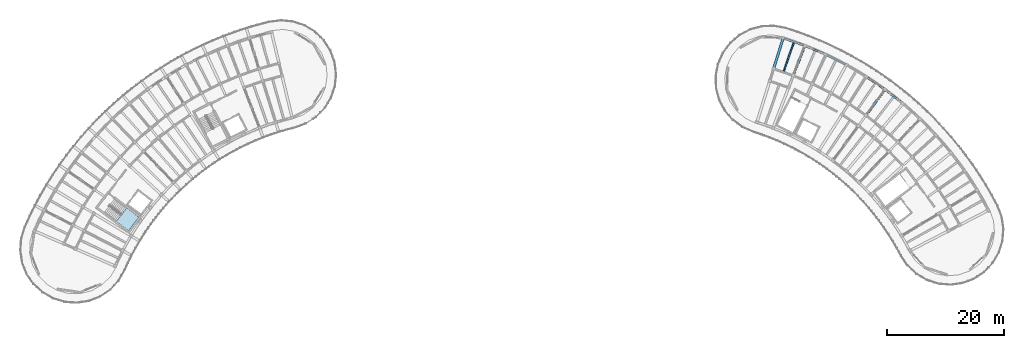
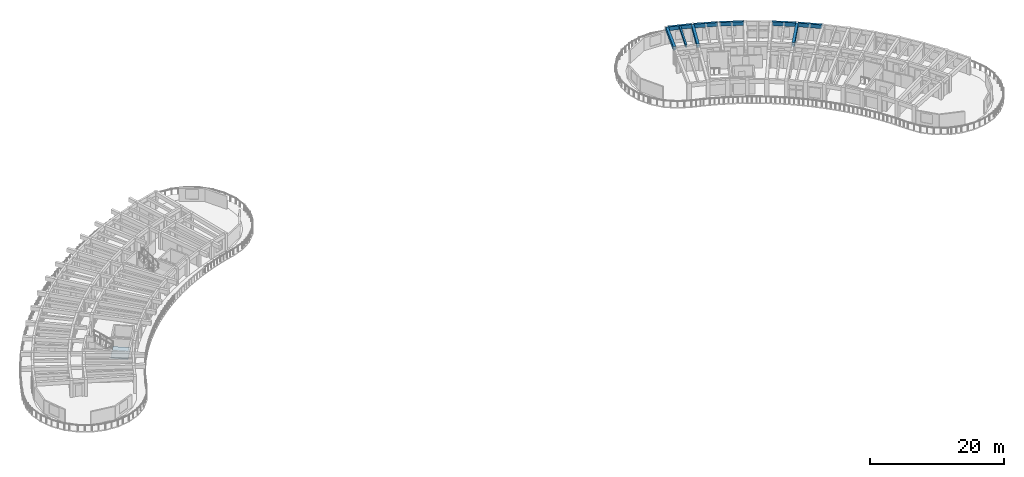
# One storey, part 14 of 32: 9 beams, 1 slab, 1 element without a shape of its own.
"""IFC4 building model written with IfcOpenShell, lengths in metres."""

from ifc_helpers import new_model, si_unit, direction, frame, origin, origin_2d, place, context, subcontext, project, spatial, polyline, rectangle, outline, extrude, material, layer, layer_set, material_profile, profile_set, type_object, element, aggregate, save


model = new_model("IFC4")

# Units and contexts
model_context = context("Model", 3, precision=1e-05, world=origin(), true_north=direction((0.0, 1.0)))
body_context = subcontext(model_context, "Body", "Model", "MODEL_VIEW")
ifc_project = project(units=[si_unit("LENGTHUNIT", "METRE"), si_unit("AREAUNIT", "SQUARE_METRE"), si_unit("VOLUMEUNIT", "CUBIC_METRE"), si_unit("PLANEANGLEUNIT", "RADIAN"), si_unit("MASSUNIT", "GRAM", prefix="KILO")], contexts=[model_context])

# Site, building, storey
site_placement = place(None, origin())
site = spatial("IfcSite", under=ifc_project, at=site_placement, CompositionType="ELEMENT")
building_placement = place(site_placement, origin())
building = spatial("IfcBuilding", under=site, at=building_placement, Name="Tanwirah Colonnade Gardens", CompositionType="ELEMENT")
storey_placement = place(building_placement, frame((0.0, 0.0, 42.43994140625)))
storey = spatial("IfcBuildingStorey", under=building, at=storey_placement, Name="L12", CompositionType="ELEMENT", Elevation=42.43994140625)

# Beams
ifc_material_1 = material(Name="Precast concrete C45/55", Category="concrete")
ifc_material_profile_1 = material_profile(ifc_material_1, rectangle(XDim=0.419921875, YDim=0.679931640625, at=origin_2d()), Name="PC-BM 420x680")
ifc_profile_set_1 = profile_set([ifc_material_profile_1], Name="Precast concrete C45/55")
beam_type_1 = type_object("IfcBeamType", Name="BM-PC420", PredefinedType="BEAM", material=ifc_profile_set_1)
for number, where, z_axis, x_axis, name in (
    (1, (153.02783203125, 103.9248046875, 2.760009765625), (0.590909677043, 0.806737722917, 0.0), (-0.806737722917, 0.590909677043, 0.0), "Block B L12 Outer Radial Precast Girder 10"),
    (2, (140.521728515625, 110.76220703125, 2.760009765625), (0.360152299809, 0.932893520688, 0.0), (-0.932893520688, 0.360152299809, 0.0), "Block B L12 Outer Radial Precast Girder 14"),
    (3, (137.147705078125, 111.938720703125, 2.760009765625), (0.297943486107, 0.954583510798, 0.0), (-0.954583510798, 0.297943486107, 0.0), "Block B L12 Outer Radial Precast Girder 15"),
):
    element("IfcBeam", number, at=place(storey_placement, frame(where, z_axis=z_axis, x_axis=x_axis)), inside=storey, type_object=beam_type_1, Name=name, PredefinedType="BEAM", context=body_context, shape_type="SweptSolid", body=[
        extrude(rectangle(XDim=0.419921875, YDim=0.679931640625, at=origin_2d()), origin(), (0.0, 0.0, 1.0), 5.199951171875),
    ])
ifc_material_2 = material(Name="Precast concrete C40/50", Category="concrete")
ifc_material_profile_2 = material_profile(ifc_material_2, rectangle(XDim=0.260009765625, YDim=0.4599609375, at=origin_2d()), Name="PC-JST 260x460")
ifc_profile_set_2 = profile_set([ifc_material_profile_2], Name="Precast concrete C40/50")
beam_type_2 = type_object("IfcBeamType", Name="JST-PC260", PredefinedType="JOIST", material=ifc_profile_set_2)
beam_1_placement = place(storey_placement, frame((138.83447265625, 111.349853515625, 2.8701171875), z_axis=(0.3292586038, 0.944239785131, 0.0), x_axis=(-0.944239785131, 0.3292586038, 0.0)))
element("IfcBeam", 4, at=beam_1_placement, inside=storey, type_object=beam_type_2, Name="Block B L12 Precast Floor Joist 14", PredefinedType="JOIST", context=body_context, shape_type="SweptSolid", body=[
    extrude(rectangle(XDim=0.260009765625, YDim=0.4599609375, at=origin_2d()), origin(), (0.0, 0.0, 1.0), 5.260009765625),
])
ifc_material_profile_3 = material_profile(ifc_material_2, rectangle(XDim=0.3349609375, YDim=0.695068359375, at=origin_2d()), Name="PC-SP 335x695")
ifc_profile_set_3 = profile_set([ifc_material_profile_3], Name="Precast concrete C40/50")
beam_type_3 = type_object("IfcBeamType", Name="SP-PC300", PredefinedType="SPANDREL", material=ifc_profile_set_3)
beam_2_placement = place(storey_placement, frame((159.159912109375, 105.91064453125, 2.75244140625), z_axis=(-0.786843799845, 0.617152197311, 0.0), x_axis=(-0.617152197311, -0.786843799845, 0.0)))
element("IfcBeam", 5, at=beam_2_placement, inside=storey, type_object=beam_type_3, Name="Block B L12 Circumferential Beam 9-R3", PredefinedType="SPANDREL", context=body_context, shape_type="SweptSolid", body=[
    extrude(rectangle(XDim=0.3349609375, YDim=0.695068359375, at=origin_2d()), origin(), (0.0, 0.0, 1.0), 3.62548828125),
])
beam_3_placement = place(storey_placement, frame((156.0654296875, 108.325439453125, 2.75244140625), z_axis=(-0.825782625102, 0.563988524776, 0.0), x_axis=(-0.563988524776, -0.825782625102, 0.0)))
element("IfcBeam", 6, at=beam_3_placement, inside=storey, type_object=beam_type_3, Name="Block B L12 Circumferential Beam 10-R3", PredefinedType="SPANDREL", context=body_context, shape_type="SweptSolid", body=[
    extrude(rectangle(XDim=0.3349609375, YDim=0.695068359375, at=origin_2d()), origin(), (0.0, 0.0, 1.0), 3.625732421875),
])
beam_4_placement = place(storey_placement, frame((149.43310546875, 112.518310546875, 2.75244140625), z_axis=(-0.892764670911, 0.450523298368, 0.0), x_axis=(-0.450523298368, -0.892764670911, 0.0)))
element("IfcBeam", 7, at=beam_4_placement, inside=storey, type_object=beam_type_3, Name="Block B L12 Circumferential Beam 12-R3", PredefinedType="SPANDREL", context=body_context, shape_type="SweptSolid", body=[
    extrude(rectangle(XDim=0.3349609375, YDim=0.695068359375, at=origin_2d()), origin(), (0.0, 0.0, 1.0), 3.6259765625),
])
for number, where, z_axis, x_axis, name in (
    (8, (145.924072265625, 114.27783203125, 2.75244140625), (-0.920494456807, 0.390755620545, 0.0), (-0.390755620545, -0.920494456807, 0.0), "Block B L12 Circumferential Beam 13-R3"),
    (9, (142.306884765625, 115.802490234375, 2.75244140625), (-0.944236700093, 0.329267450863, 0.0), (-0.329267450863, -0.944236700093, 0.0), "Block B L12 Circumferential Beam 14-R3"),
):
    element("IfcBeam", number, at=place(storey_placement, frame(where, z_axis=z_axis, x_axis=x_axis)), inside=storey, type_object=beam_type_3, Name=name, PredefinedType="SPANDREL", context=body_context, shape_type="SweptSolid", body=[
        extrude(rectangle(XDim=0.3349609375, YDim=0.695068359375, at=origin_2d()), origin(), (0.0, 0.0, 1.0), 3.625732421875),
    ])

# Stair, slab
stair_type = type_object("IfcStairType", Name="ST-RES168", PredefinedType="HALF_TURN_STAIR", material=ifc_material_2)
stair_placement = place(storey_placement, origin())
stair = element("IfcStair", 10, at=stair_placement, inside=storey, type_object=stair_type, Name="L12 Block A Core 2 Exit Stair", PredefinedType="HALF_TURN_STAIR")
ifc_layer = layer(ifc_material_2, 0.205078125)
ifc_layer_set = layer_set([ifc_layer], Name="Precast concrete C40/50")
slab_type = type_object("IfcSlabType", Name="SL-LND-205", PredefinedType="LANDING", material=ifc_layer_set)
slab_placement = place(storey_placement, frame((0.0, 0.0, 1.47509765625)))
slab = element("IfcSlab", 11, at=slab_placement, type_object=slab_type, Name="ST-A2 landing 1", PredefinedType="LANDING", context=body_context, shape_type="SweptSolid", body=[
    extrude(outline(polyline([(24.44970703125, 85.623046875), (26.553955078125, 84.037353515625), (28.311279296875, 86.369384765625), (26.20703125, 87.955078125), (24.44970703125, 85.623046875)])), origin(), (0.0, 0.0, 1.0), 0.205078125),
])
aggregate(stair, [slab])

save(model, "model.ifc")
